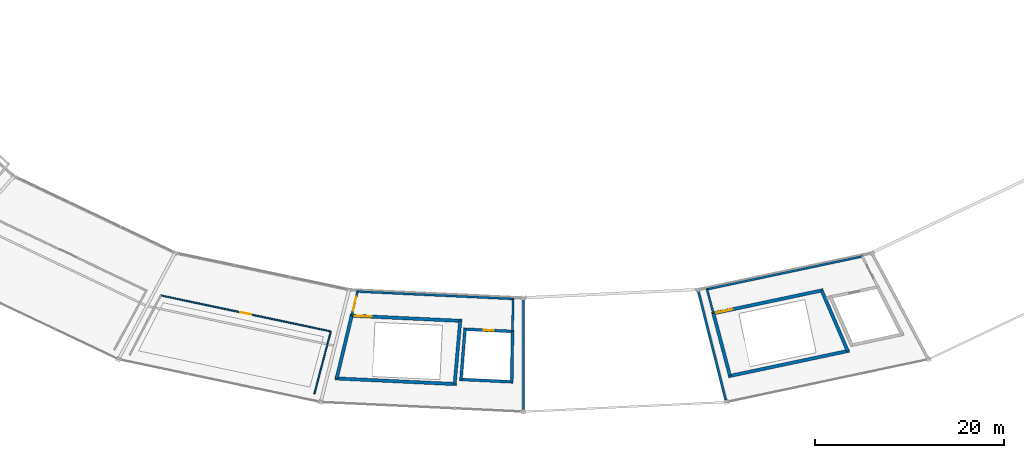
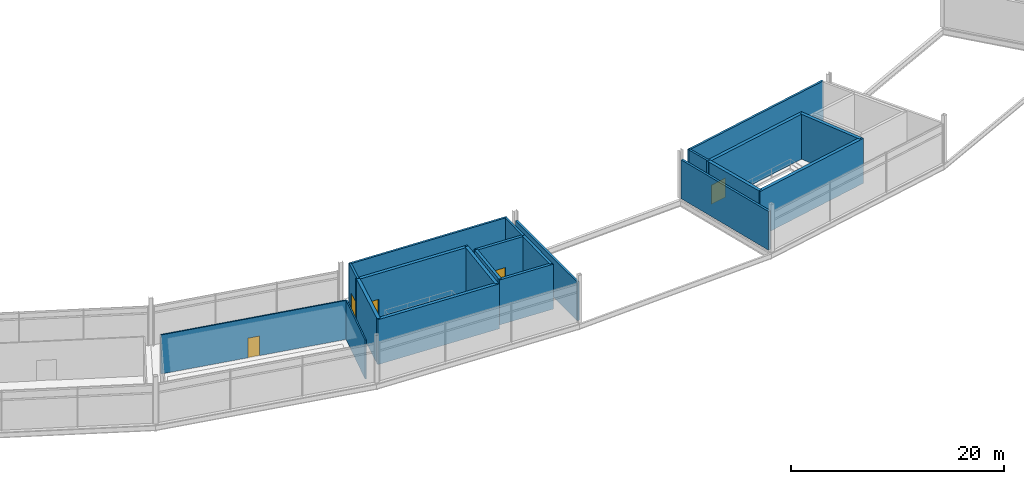
# One storey, part 68 of 86: 21 walls, 5 doors, 5 openings.
"""IFC4 building model written with IfcOpenShell, lengths in metres."""

from ifc_helpers import new_model, si_unit, direction, frame, frame_2d, origin, place, context, subcontext, project, spatial, rectangle, extrude, material, layer, layer_set, type_object, element, fill, save


model = new_model("IFC4")

# Units and contexts
model_context = context("Model", 3, precision=1e-05, world=origin(), true_north=direction((0.0, 1.0)))
body_context = subcontext(model_context, "Body", "Model", "MODEL_VIEW")
ifc_project = project(units=[si_unit("LENGTHUNIT", "METRE"), si_unit("AREAUNIT", "SQUARE_METRE"), si_unit("VOLUMEUNIT", "CUBIC_METRE"), si_unit("PLANEANGLEUNIT", "RADIAN"), si_unit("MASSUNIT", "GRAM", prefix="KILO")], contexts=[model_context])

# Site, building, storey
site_placement = place(None, origin())
site = spatial("IfcSite", under=ifc_project, at=site_placement, CompositionType="ELEMENT")
building_placement = place(site_placement, origin())
building = spatial("IfcBuilding", under=site, at=building_placement, Name="Kazemori Nagisa Stadium", CompositionType="ELEMENT")
storey_placement = place(building_placement, frame((0.0, 0.0, 31.280029296875)))
storey = spatial("IfcBuildingStorey", under=building, at=storey_placement, Name="L06", CompositionType="ELEMENT", Elevation=31.280029296875)

# Wall, opening, door
ifc_material_1 = material(Name="Concrete C40/50 (Fc42)", Category="concrete")
ifc_layer_1 = layer(ifc_material_1, 0.35009765625, Name="Concrete C40/50 (Fc42)", Category="concrete")
ifc_layer_set_1 = layer_set([ifc_layer_1], Name="Concrete C40/50 (Fc42)")
wall_type_1 = type_object("IfcWallType", Name="Wall_W-CORE-350", PredefinedType="SHEAR", material=ifc_layer_set_1)
wall_1_placement = place(storey_placement, frame((104.66748046875, 26.15478515625, 0.0), z_axis=(0.0, 0.0, 1.0), x_axis=(0.998883770468, -0.04723571843, 0.0)))
wall_1 = element("IfcWall", 1, at=wall_1_placement, inside=storey, type_object=wall_type_1, Name="Core stair front shear wall ST12 L06", PredefinedType="SHEAR", context=body_context, shape_type="SweptSolid", body=[
    extrude(rectangle(XDim=11.830810546875, YDim=0.35009765625, at=frame_2d((5.91552734375, 0.0))), origin(), (0.0, 0.0, 1.0), 5.159912109375),
])
opening_1_placement = place(wall_1_placement, frame((0.47509765625, 0.0, 0.0)))
opening_1 = element("IfcOpeningElement", 2, at=opening_1_placement, cuts=wall_1, Name="Opening D-ST-1800", PredefinedType="OPENING", context=body_context, shape_type="SweptSolid", body=[
    extrude(rectangle(XDim=1.800048828125, YDim=2.199951171875, at=frame_2d((0.89990234375, 1.10009765625))), frame((0.0, 0.18505859375, 0.0), z_axis=(0.0, -1.0, 0.0), x_axis=(1.0, 0.0, 0.0)), (0.0, 0.0, 1.0), 0.3701171875),
])
ifc_material_2 = material(Name="Galvanised steel sheet", Category="steel")
door_type_1 = type_object("IfcDoorType", Name="Door_D-ST-1800", OperationType="NOTDEFINED", PredefinedType="DOOR", material=ifc_material_2)
door_1_placement = place(opening_1_placement, frame((1.800048828125, 0.0, 0.0), z_axis=(0.0, 0.0, 1.0), x_axis=(-1.0, 0.0, 0.0)))
door_1 = element("IfcDoor", 3, at=door_1_placement, inside=storey, type_object=door_type_1, Name="Exit stair fire door ST12-L06", OperationType="SINGLE_SWING_LEFT", OverallHeight=2.199951171875, OverallWidth=1.800048828125, PredefinedType="DOOR", context=body_context, shape_type="SweptSolid", body=[
    extrude(rectangle(XDim=1.800048828125, YDim=2.199951171875, at=frame_2d((0.89990234375, 1.10009765625))), frame((0.0, 0.02490234375, 0.0), z_axis=(0.0, -1.0, 0.0), x_axis=(1.0, 0.0, 0.0)), (0.0, 0.0, 1.0), 0.050048828125),
])
fill(opening_1, door_1)

# Walls
wall_2_placement = place(storey_placement, frame((103.07958984375, 19.52197265625, 0.0), z_axis=(0.0, 0.0, 1.0), x_axis=(0.998884004857, -0.047230761603, 0.0)))
element("IfcWall", 4, at=wall_2_placement, inside=storey, type_object=wall_type_1, Name="Core stair rear shear wall ST12 L06", PredefinedType="SHEAR", context=body_context, shape_type="SweptSolid", body=[
    extrude(rectangle(XDim=12.8349609375, YDim=0.35009765625, at=frame_2d((6.41748046875, 0.0))), origin(), (0.0, 0.0, 1.0), 5.159912109375),
])
wall_3_placement = place(storey_placement, frame((104.84228515625, 26.146484375, 0.0), z_axis=(0.0, 0.0, 1.0), x_axis=(-0.232820532896, -0.972519716747, 0.0)))
element("IfcWall", 5, at=wall_3_placement, inside=storey, type_object=wall_type_1, Name="Core stair left shear wall ST12 L06", PredefinedType="SHEAR", context=body_context, shape_type="SweptSolid", body=[
    extrude(rectangle(XDim=6.8203125, YDim=0.35009765625, at=frame_2d((3.41015625, 0.0))), origin(), (0.0, 0.0, 1.0), 5.159912109375),
])
wall_4_placement = place(storey_placement, frame((116.310302734375, 25.604248046875, 0.0), z_axis=(0.0, 0.0, 1.0), x_axis=(-0.087232889326, -0.996187945631, 0.0)))
element("IfcWall", 6, at=wall_4_placement, inside=storey, type_object=wall_type_1, Name="Core stair right shear wall ST12 L06", PredefinedType="SHEAR", context=body_context, shape_type="SweptSolid", body=[
    extrude(rectangle(XDim=6.705810546875, YDim=0.35009765625, at=frame_2d((3.35302734375, 0.0))), origin(), (0.0, 0.0, 1.0), 5.159912109375),
])

# Wall, opening, door
wall_5_placement = place(storey_placement, frame((142.895751953125, 26.357177734375, 0.0), z_axis=(0.0, 0.0, 1.0), x_axis=(0.978345203961, 0.206979858648, 0.0)))
wall_5 = element("IfcWall", 7, at=wall_5_placement, inside=storey, type_object=wall_type_1, Name="Core stair front shear wall ST06 L06", PredefinedType="SHEAR", context=body_context, shape_type="SweptSolid", body=[
    extrude(rectangle(XDim=12.044189453125, YDim=0.35009765625, at=frame_2d((6.02197265625, 0.0))), origin(), (0.0, 0.0, 1.0), 5.159912109375),
])
opening_2_placement = place(wall_5_placement, frame((0.47509765625, 0.0, 0.0)))
opening_2 = element("IfcOpeningElement", 8, at=opening_2_placement, cuts=wall_5, Name="Opening D-ST-1800", PredefinedType="OPENING", context=body_context, shape_type="SweptSolid", body=[
    extrude(rectangle(XDim=1.800048828125, YDim=2.199951171875, at=frame_2d((0.89990234375, 1.10009765625))), frame((0.0, 0.18505859375, 0.0), z_axis=(0.0, -1.0, 0.0), x_axis=(1.0, 0.0, 0.0)), (0.0, 0.0, 1.0), 0.3701171875),
])
door_2_placement = place(opening_2_placement, frame((1.800048828125, 0.0, 0.0), z_axis=(0.0, 0.0, 1.0), x_axis=(-1.0, 0.0, 0.0)))
door_2 = element("IfcDoor", 9, at=door_2_placement, inside=storey, type_object=door_type_1, Name="Exit stair fire door ST06-L06", OperationType="SINGLE_SWING_LEFT", OverallHeight=2.199951171875, OverallWidth=1.800048828125, PredefinedType="DOOR", context=body_context, shape_type="SweptSolid", body=[
    extrude(rectangle(XDim=1.800048828125, YDim=2.199951171875, at=frame_2d((0.89990234375, 1.10009765625))), frame((0.0, 0.02490234375, 0.0), z_axis=(0.0, -1.0, 0.0), x_axis=(1.0, 0.0, 0.0)), (0.0, 0.0, 1.0), 0.050048828125),
])
fill(opening_2, door_2)

# Walls
wall_6_placement = place(storey_placement, frame((144.650390625, 19.745849609375, 0.0), z_axis=(0.0, 0.0, 1.0), x_axis=(0.978345119536, 0.206980257705, 0.0)))
element("IfcWall", 10, at=wall_6_placement, inside=storey, type_object=wall_type_1, Name="Core stair rear shear wall ST06 L06", PredefinedType="SHEAR", context=body_context, shape_type="SweptSolid", body=[
    extrude(rectangle(XDim=13.06689453125, YDim=0.35009765625, at=frame_2d((6.533447265625, 0.0))), origin(), (0.0, 0.0, 1.0), 5.159912109375),
])
wall_7_placement = place(storey_placement, frame((143.06689453125, 26.3935546875, 0.0), z_axis=(0.0, 0.0, 1.0), x_axis=(0.256518400663, -0.966539347425, 0.0)))
element("IfcWall", 11, at=wall_7_placement, inside=storey, type_object=wall_type_1, Name="Core stair left shear wall ST06 L06", PredefinedType="SHEAR", context=body_context, shape_type="SweptSolid", body=[
    extrude(rectangle(XDim=6.840087890625, YDim=0.35009765625, at=frame_2d((3.419921875, 0.0))), origin(), (0.0, 0.0, 1.0), 5.159912109375),
])
wall_8_placement = place(storey_placement, frame((154.5078125, 28.81396484375, 0.0), z_axis=(0.0, 0.0, 1.0), x_axis=(0.395453834155, -0.918485854574, 0.0)))
element("IfcWall", 12, at=wall_8_placement, inside=storey, type_object=wall_type_1, Name="Core stair right shear wall ST06 L06", PredefinedType="SHEAR", context=body_context, shape_type="SweptSolid", body=[
    extrude(rectangle(XDim=6.967529296875, YDim=0.35009765625, at=frame_2d((3.48388671875, 0.0))), origin(), (0.0, 0.0, 1.0), 5.159912109375),
])
ifc_material_3 = material(Name="Steel S355 (SN490B)", Category="steel")
ifc_layer_2 = layer(ifc_material_3, 0.239990234375, Name="Steel S355 (SN490B)", Category="steel")
ifc_layer_set_2 = layer_set([ifc_layer_2], Name="Steel S355 (SN490B)")
wall_type_2 = type_object("IfcWallType", Name="Wall_W-EXT-240", PredefinedType="SOLIDWALL", material=ifc_layer_set_2)
wall_9_placement = place(storey_placement, frame((123.0, 27.820068359375, 0.0), z_axis=(0.0, 0.0, 1.0), x_axis=(0.0, -1.0, 0.0)))
element("IfcWall", 13, at=wall_9_placement, inside=storey, type_object=wall_type_2, Name="Gondola end facade wall L06-B21R", PredefinedType="SOLIDWALL", context=body_context, shape_type="SweptSolid", body=[
    extrude(rectangle(XDim=11.60009765625, YDim=0.239990234375, at=frame_2d((5.800048828125, 0.0))), origin(), (0.0, 0.0, 1.0), 4.4580078125),
])
wall_10_placement = place(storey_placement, frame((141.481689453125, 28.697998046875, 0.0), z_axis=(0.0, 0.0, 1.0), x_axis=(0.244462860837, -0.969658656266, 0.0)))
element("IfcWall", 14, at=wall_10_placement, inside=storey, type_object=wall_type_2, Name="Gondola end facade wall L06-B23L", PredefinedType="SOLIDWALL", context=body_context, shape_type="SweptSolid", body=[
    extrude(rectangle(XDim=11.830322265625, YDim=0.239990234375, at=frame_2d((5.9150390625, 0.0))), origin(), (0.0, 0.0, 1.0), 4.4580078125),
])
ifc_material_4 = material(Name="Concrete C36/45 (Fc36)", Category="concrete")
ifc_layer_3 = layer(ifc_material_4, 0.219970703125, Name="Concrete C36/45 (Fc36)", Category="concrete")
ifc_layer_set_3 = layer_set([ifc_layer_3], Name="Concrete C36/45 (Fc36)")
wall_type_3 = type_object("IfcWallType", Name="Wall_W-LOBBY-220", PredefinedType="SOLIDWALL", material=ifc_layer_set_3)
wall_11_placement = place(storey_placement, frame((105.343017578125, 28.702880859375, 0.0), z_axis=(0.0, 0.0, 1.0), x_axis=(0.998884242682, -0.047225731555, 0.0)))
element("IfcWall", 15, at=wall_11_placement, inside=storey, type_object=wall_type_3, Name="Core lobby fire wall ST12 L06", PredefinedType="SOLIDWALL", context=body_context, shape_type="SweptSolid", body=[
    extrude(rectangle(XDim=16.67724609375, YDim=0.219970703125, at=frame_2d((8.338623046875, 0.0))), origin(), (0.0, 0.0, 1.0), 5.159912109375),
])

# Wall, opening, door
wall_12_placement = place(storey_placement, frame((105.452880859375, 28.69775390625, 0.0), z_axis=(0.0, 0.0, 1.0), x_axis=(-0.232756927197, -0.972534941707, 0.0)))
wall_12 = element("IfcWall", 16, at=wall_12_placement, inside=storey, type_object=wall_type_3, Name="Core lobby left wall ST12 L06", PredefinedType="SOLIDWALL", context=body_context, shape_type="SweptSolid", body=[
    extrude(rectangle(XDim=2.623291015625, YDim=0.219970703125, at=frame_2d((1.3115234375, 0.0))), origin(), (0.0, 0.0, 1.0), 5.159912109375),
])
opening_3_placement = place(wall_12_placement, frame((0.56201171875, 0.0, 0.0)))
opening_3 = element("IfcOpeningElement", 17, at=opening_3_placement, cuts=wall_12, Name="Opening D-FFL-1500", PredefinedType="OPENING", context=body_context, shape_type="SweptSolid", body=[
    extrude(rectangle(XDim=1.5, YDim=2.199951171875, at=frame_2d((0.75, 1.10009765625))), frame((0.0, 0.119873046875, 0.0), z_axis=(0.0, -1.0, 0.0), x_axis=(1.0, 0.0, 0.0)), (0.0, 0.0, 1.0), 0.239990234375),
])
door_type_2 = type_object("IfcDoorType", Name="Door_D-FFL-1500", OperationType="NOTDEFINED", PredefinedType="DOOR", material=ifc_material_2)
door_3_placement = place(opening_3_placement, frame((1.5, 0.0, 0.0), z_axis=(0.0, 0.0, 1.0), x_axis=(-1.0, 0.0, 0.0)))
door_3 = element("IfcDoor", 18, at=door_3_placement, inside=storey, type_object=door_type_2, Name="Protected lobby fire door ST12-L06", OperationType="DOUBLE_DOOR_SINGLE_SWING", OverallHeight=2.199951171875, OverallWidth=1.5, PredefinedType="DOOR", context=body_context, shape_type="SweptSolid", body=[
    extrude(rectangle(XDim=1.5, YDim=2.199951171875, at=frame_2d((0.75, 1.10009765625))), frame((0.0, 0.02490234375, 0.0), z_axis=(0.0, -1.0, 0.0), x_axis=(1.0, 0.0, 0.0)), (0.0, 0.0, 1.0), 0.050048828125),
])
fill(opening_3, door_3)

# Walls
wall_13_placement = place(storey_placement, frame((121.891845703125, 27.92041015625, 0.0), z_axis=(0.0, 0.0, 1.0), x_axis=(-0.014984113027, -0.999887731876, 0.0)))
element("IfcWall", 19, at=wall_13_placement, inside=storey, type_object=wall_type_3, Name="Core lobby right wall ST12 L06", PredefinedType="SOLIDWALL", context=body_context, shape_type="SweptSolid", body=[
    extrude(rectangle(XDim=3.43798828125, YDim=0.219970703125, at=frame_2d((1.718994140625, 0.0))), origin(), (0.0, 0.0, 1.0), 5.159912109375),
])
wall_14_placement = place(storey_placement, frame((142.284423828125, 28.91357421875, 0.0), z_axis=(0.0, 0.0, 1.0), x_axis=(0.97834522483, 0.206979760008, 0.0)))
element("IfcWall", 20, at=wall_14_placement, inside=storey, type_object=wall_type_3, Name="Core lobby fire wall ST06 L06", PredefinedType="SOLIDWALL", context=body_context, shape_type="SweptSolid", body=[
    extrude(rectangle(XDim=16.98291015625, YDim=0.219970703125, at=frame_2d((8.491455078125, 0.0))), origin(), (0.0, 0.0, 1.0), 5.159912109375),
])
wall_15_placement = place(storey_placement, frame((142.39208984375, 28.936279296875, 0.0), z_axis=(0.0, 0.0, 1.0), x_axis=(0.256507243456, -0.966542308466, 0.0)))
element("IfcWall", 21, at=wall_15_placement, inside=storey, type_object=wall_type_3, Name="Core lobby left wall ST06 L06", PredefinedType="SOLIDWALL", context=body_context, shape_type="SweptSolid", body=[
    extrude(rectangle(XDim=2.630859375, YDim=0.219970703125, at=frame_2d((1.3154296875, 0.0))), origin(), (0.0, 0.0, 1.0), 5.159912109375),
])

# Wall, opening, door
ifc_material_5 = material(Name="Gypsum plasterboard", Category="gypsum")
ifc_layer_4 = layer(ifc_material_5, 0.139892578125, Name="Gypsum plasterboard", Category="gypsum")
ifc_layer_set_4 = layer_set([ifc_layer_4], Name="Gypsum plasterboard")
wall_type_4 = type_object("IfcWallType", Name="Wall_W-PART-140", PredefinedType="PARTITIONING", material=ifc_layer_set_4)
wall_16_placement = place(storey_placement, frame((84.657958984375, 28.290283203125, 0.0), z_axis=(0.0, 0.0, 1.0), x_axis=(0.978344735835, -0.20698207136, 0.0)))
wall_16 = element("IfcWall", 22, at=wall_16_placement, inside=storey, type_object=wall_type_4, Name="Room corridor partition L06-B20", PredefinedType="PARTITIONING", context=body_context, shape_type="SweptSolid", body=[
    extrude(rectangle(XDim=18.37353515625, YDim=0.139892578125, at=frame_2d((9.186767578125, 0.0))), origin(), (0.0, 0.0, 1.0), 4.47998046875),
])
opening_4_placement = place(wall_16_placement, frame((8.612060546875, 0.0, 0.0)))
opening_4 = element("IfcOpeningElement", 23, at=opening_4_placement, cuts=wall_16, Name="Opening D-STU-1150", PredefinedType="OPENING", context=body_context, shape_type="SweptSolid", body=[
    extrude(rectangle(XDim=1.14990234375, YDim=2.25, at=frame_2d((0.574951171875, 1.125))), frame((0.0, 0.079833984375, 0.0), z_axis=(0.0, -1.0, 0.0), x_axis=(1.0, 0.0, 0.0)), (0.0, 0.0, 1.0), 0.159912109375),
])
door_type_3 = type_object("IfcDoorType", Name="Door_D-STU-1150", OperationType="NOTDEFINED", PredefinedType="DOOR", material=ifc_material_2)
door_4_placement = place(opening_4_placement, origin())
door_4 = element("IfcDoor", 24, at=door_4_placement, inside=storey, type_object=door_type_3, Name="Room entrance door D-STU-1150 L06-B20", OperationType="SINGLE_SWING_LEFT", OverallHeight=2.25, OverallWidth=1.14990234375, PredefinedType="DOOR", context=body_context, shape_type="SweptSolid", body=[
    extrude(rectangle(XDim=1.14990234375, YDim=2.25, at=frame_2d((0.574951171875, 1.125))), frame((0.0, 0.02490234375, 0.0), z_axis=(0.0, -1.0, 0.0), x_axis=(1.0, 0.0, 0.0)), (0.0, 0.0, 1.0), 0.050048828125),
])
fill(opening_4, door_4)

# Wall
wall_17_placement = place(storey_placement, frame((102.633544921875, 24.4873046875, 0.0), z_axis=(0.0, 0.0, 1.0), x_axis=(-0.254126047026, -0.967171108038, 0.0)))
element("IfcWall", 25, at=wall_17_placement, inside=storey, type_object=wall_type_4, Name="Room radial partition L06-B20-R", PredefinedType="PARTITIONING", context=body_context, shape_type="SweptSolid", body=[
    extrude(rectangle(XDim=6.83935546875, YDim=0.139892578125, at=frame_2d((3.419677734375, 0.0))), origin(), (0.0, 0.0, 1.0), 4.47998046875),
])

# Wall, opening, door
ifc_layer_5 = layer(ifc_material_1, 0.300048828125, Name="Concrete C40/50 (Fc42)", Category="concrete")
ifc_layer_set_5 = layer_set([ifc_layer_5], Name="Concrete C40/50 (Fc42)")
wall_type_5 = type_object("IfcWallType", Name="Wall_W-SHAFT-300", PredefinedType="SHEAR", material=ifc_layer_set_5)
wall_18_placement = place(storey_placement, frame((116.665283203125, 24.7275390625, 0.0), z_axis=(0.0, 0.0, 1.0), x_axis=(0.998882494219, -0.047262699282, 0.0)))
wall_18 = element("IfcWall", 26, at=wall_18_placement, inside=storey, type_object=wall_type_5, Name="Lift shaft front wall LP4 L06", PredefinedType="SHEAR", context=body_context, shape_type="SweptSolid", body=[
    extrude(rectangle(XDim=5.330810546875, YDim=0.300048828125, at=frame_2d((2.66552734375, 0.0))), origin(), (0.0, 0.0, 1.0), 5.159912109375),
])
opening_5_placement = place(wall_18_placement, frame((2.114990234375, 0.0, 0.0)))
opening_5 = element("IfcOpeningElement", 27, at=opening_5_placement, cuts=wall_18, Name="Opening LD-PAX", PredefinedType="OPENING", context=body_context, shape_type="SweptSolid", body=[
    extrude(rectangle(XDim=1.10009765625, YDim=2.199951171875, at=frame_2d((0.550048828125, 1.10009765625))), frame((0.0, 0.159912109375, 0.0), z_axis=(0.0, -1.0, 0.0), x_axis=(1.0, 0.0, 0.0)), (0.0, 0.0, 1.0), 0.320068359375),
])
ifc_material_6 = material(Name="Stainless steel SUS304", Category="steel")
door_type_4 = type_object("IfcDoorType", Name="Door_LD-PAX", OperationType="SLIDING_TO_RIGHT", PredefinedType="DOOR", material=ifc_material_6)
door_5_placement = place(opening_5_placement, origin())
door_5 = element("IfcDoor", 28, at=door_5_placement, inside=storey, type_object=door_type_4, Name="Lift landing door LP4-L06", OperationType="SLIDING_TO_RIGHT", OverallHeight=2.199951171875, OverallWidth=1.10009765625, PredefinedType="DOOR", context=body_context, shape_type="SweptSolid", body=[
    extrude(rectangle(XDim=1.10009765625, YDim=2.199951171875, at=frame_2d((0.550048828125, 1.10009765625))), frame((0.0, 0.02490234375, 0.0), z_axis=(0.0, -1.0, 0.0), x_axis=(1.0, 0.0, 0.0)), (0.0, 0.0, 1.0), 0.050048828125),
])
fill(opening_5, door_5)

# Walls
wall_19_placement = place(storey_placement, frame((116.240234375, 19.41552734375, 0.0), z_axis=(0.0, 0.0, 1.0), x_axis=(0.998884329444, -0.047223896393, 0.0)))
element("IfcWall", 29, at=wall_19_placement, inside=storey, type_object=wall_type_5, Name="Lift shaft B wall LP4 L06", PredefinedType="SHEAR", context=body_context, shape_type="SweptSolid", body=[
    extrude(rectangle(XDim=5.676513671875, YDim=0.300048828125, at=frame_2d((2.83837890625, 0.0))), origin(), (0.0, 0.0, 1.0), 5.159912109375),
])
wall_20_placement = place(storey_placement, frame((116.815185546875, 24.720458984375, 0.0), z_axis=(0.0, 0.0, 1.0), x_axis=(-0.079807132276, -0.996810323802, 0.0)))
element("IfcWall", 30, at=wall_20_placement, inside=storey, type_object=wall_type_5, Name="Lift shaft L wall LP4 L06", PredefinedType="SHEAR", context=body_context, shape_type="SweptSolid", body=[
    extrude(rectangle(XDim=5.3291015625, YDim=0.300048828125, at=frame_2d((2.66455078125, 0.0))), origin(), (0.0, 0.0, 1.0), 5.159912109375),
])
wall_21_placement = place(storey_placement, frame((121.84033203125, 24.48291015625, 0.0), z_axis=(0.0, 0.0, 1.0), x_axis=(-0.014935332807, -0.999888461697, 0.0)))
element("IfcWall", 31, at=wall_21_placement, inside=storey, type_object=wall_type_5, Name="Lift shaft R wall LP4 L06", PredefinedType="SHEAR", context=body_context, shape_type="SweptSolid", body=[
    extrude(rectangle(XDim=5.328857421875, YDim=0.300048828125, at=frame_2d((2.66455078125, 0.0))), origin(), (0.0, 0.0, 1.0), 5.159912109375),
])

save(model, "model.ifc")
